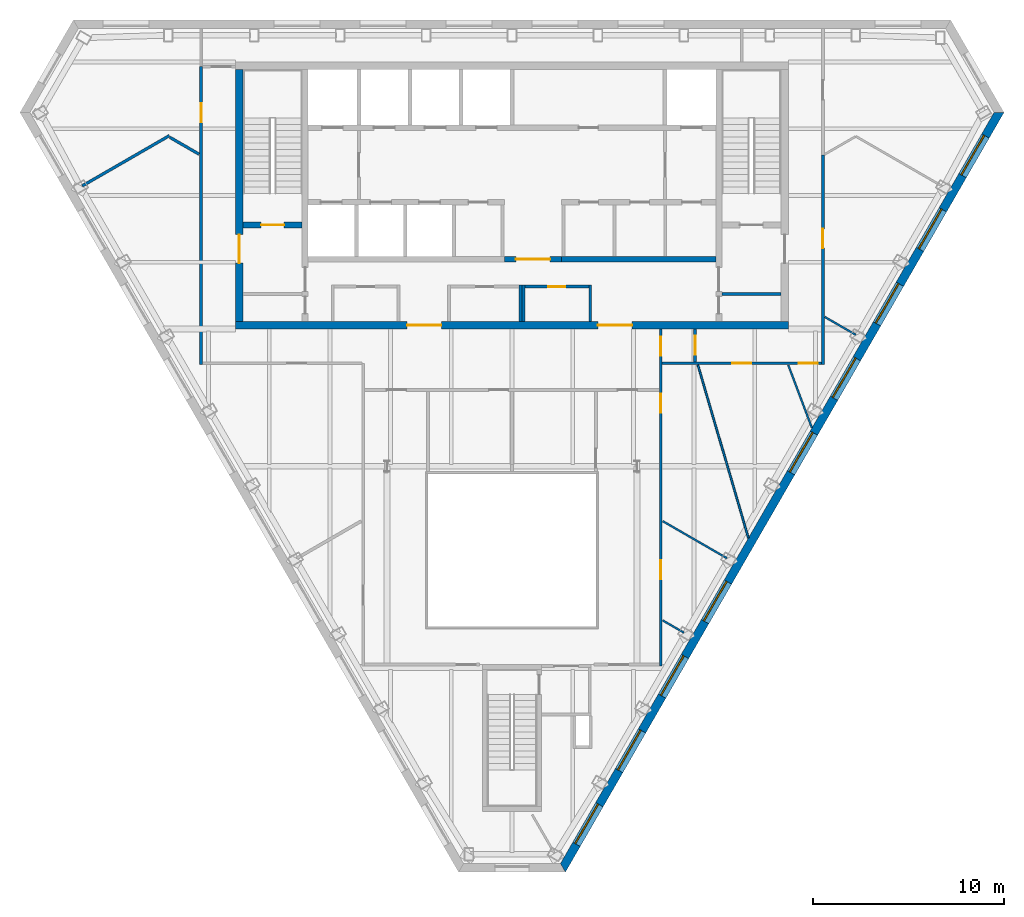
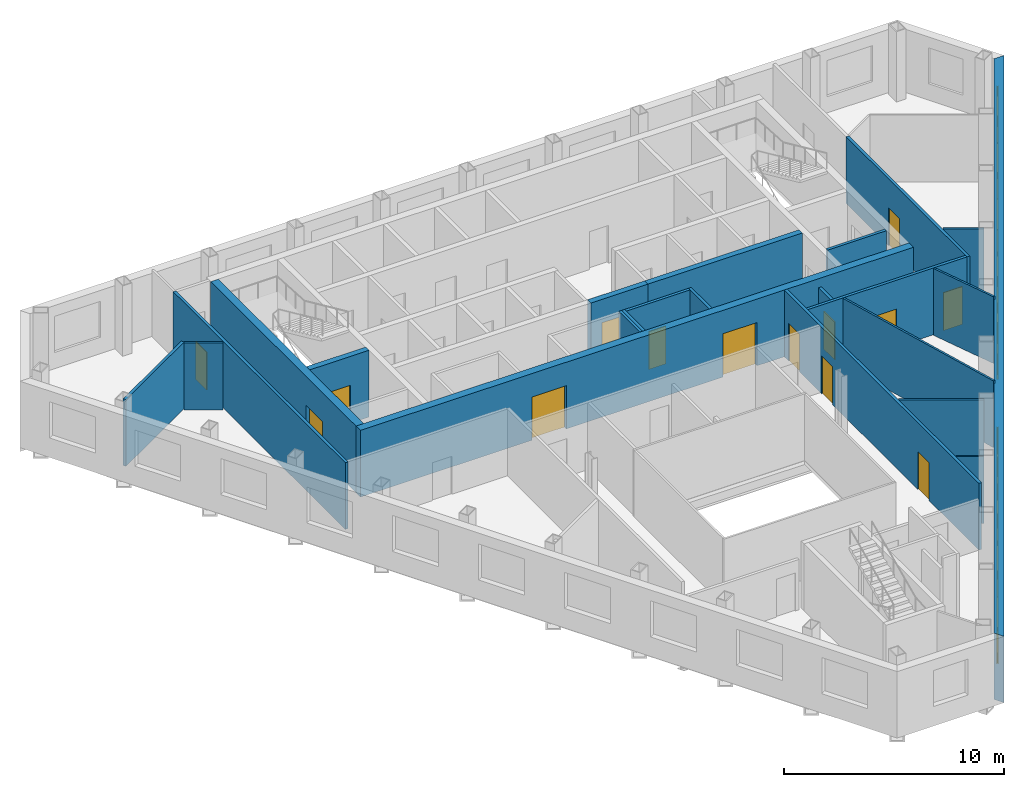
# One storey, part 5 of 10: 23 walls, 14 doors, 9 windows, 23 openings.
"""IFC4 building model written with IfcOpenShell, lengths in metres."""

from ifc_helpers import new_model, si_unit, direction, frame, frame_2d, origin, place, context, subcontext, project, spatial, polyline, rectangle, outline, extrude, material, layer, layer_set, type_object, element, fill, save


model = new_model("IFC4")

# Units and contexts
model_context = context("Model", 3, precision=1e-05, world=origin(), true_north=direction((0.0, 1.0)))
body_context = subcontext(model_context, "Body", "Model", "MODEL_VIEW")
ifc_project = project(units=[si_unit("LENGTHUNIT", "METRE"), si_unit("AREAUNIT", "SQUARE_METRE"), si_unit("VOLUMEUNIT", "CUBIC_METRE"), si_unit("PLANEANGLEUNIT", "RADIAN"), si_unit("MASSUNIT", "GRAM", prefix="KILO")], contexts=[model_context])

# Site, building, storey
site_placement = place(None, origin())
site = spatial("IfcSite", under=ifc_project, at=site_placement, CompositionType="ELEMENT")
building_placement = place(site_placement, origin())
building = spatial("IfcBuilding", under=site, at=building_placement, Name="Njiva Tower", CompositionType="ELEMENT")
storey_placement = place(building_placement, frame((0.0, 0.0, 268.8)))
storey = spatial("IfcBuildingStorey", under=building, at=storey_placement, Name="L61", CompositionType="ELEMENT", Elevation=268.8)

# Walls
ifc_material_1 = material(Name="Blockwork", Category="masonry")
ifc_layer_1 = layer(ifc_material_1, 0.15)
ifc_layer_set_1 = layer_set([ifc_layer_1], Name="Blockwork")
wall_type_1 = type_object("IfcWallType", Name="WT1 Compartment partition 150", PredefinedType="PARTITIONING", material=ifc_layer_set_1)
wall_1_placement = place(storey_placement, frame((11.0, 5.825, 0.0), z_axis=(0.0, 0.0, 1.0), x_axis=(1.0, 0.0, 0.0)))
element("IfcWall", 1, at=wall_1_placement, inside=storey, type_object=wall_type_1, Name="Room wall B", PredefinedType="PARTITIONING", context=body_context, shape_type="SweptSolid", body=[
    extrude(rectangle(XDim=3.1, YDim=0.15, at=frame_2d((1.55, 0.0))), origin(), (0.0, 0.0, 1.0), 3.7),
])
for number, where, z_axis, x_axis, name in (
    (2, (0.45, 4.4, 0.0), (0.0, 0.0, 1.0), (0.0, 1.0, 0.0), "Waiting room wall east"),
    (3, (0.6, 4.4, 0.0), (0.0, 0.0, 1.0), (0.0, 1.0, 0.0), "First aid room wall west"),
    (4, (4.1, 4.4, 0.0), (0.0, 0.0, 1.0), (0.0, 1.0, 0.0), "First aid room wall east"),
):
    element("IfcWall", number, at=place(storey_placement, frame(where, z_axis=z_axis, x_axis=x_axis)), inside=storey, type_object=wall_type_1, Name=name, PredefinedType="PARTITIONING", context=body_context, shape_type="SweptSolid", body=[
        extrude(rectangle(XDim=1.895, YDim=0.15, at=frame_2d((0.9475, 0.0))), origin(), (0.0, 0.0, 1.0), 3.7),
    ])

# Wall, opening, door
wall_2_placement = place(storey_placement, frame((0.675, 6.22, 0.0), z_axis=(0.0, 0.0, 1.0), x_axis=(1.0, 0.0, 0.0)))
wall_2 = element("IfcWall", 5, at=wall_2_placement, inside=storey, type_object=wall_type_1, Name="First aid room wall north", PredefinedType="PARTITIONING", context=body_context, shape_type="SweptSolid", body=[
    extrude(rectangle(XDim=3.35, YDim=0.15, at=frame_2d((1.675, 0.0))), origin(), (0.0, 0.0, 1.0), 3.7),
])
opening_1_placement = place(wall_2_placement, frame((1.225, 0.0, 0.0)))
opening_1 = element("IfcOpeningElement", 6, at=opening_1_placement, cuts=wall_2, Name="Opening S20-D926", PredefinedType="OPENING", context=body_context, shape_type="SweptSolid", body=[
    extrude(rectangle(XDim=0.9, YDim=2.1, at=frame_2d((0.45, 1.05))), frame((0.0, 0.085, 0.0), z_axis=(0.0, -1.0, 0.0), x_axis=(1.0, 0.0, 0.0)), (0.0, 0.0, 1.0), 0.17),
])
ifc_material_2 = material(Name="Steel fire door, painted", Category="steel")
door_type_1 = type_object("IfcDoorType", Name="D6 Fire-rated door 900x2100", OperationType="SINGLE_SWING_LEFT", PredefinedType="DOOR", material=ifc_material_2)
door_1_placement = place(opening_1_placement, origin())
door_1 = element("IfcDoor", 7, at=door_1_placement, inside=storey, type_object=door_type_1, Name="First aid room door", OperationType="SINGLE_SWING_LEFT", OverallHeight=2.1, OverallWidth=0.9, PredefinedType="DOOR", context=body_context, shape_type="SweptSolid", body=[
    extrude(rectangle(XDim=0.9, YDim=2.1, at=frame_2d((0.45, 1.05))), frame((0.0, 0.025, 0.0), z_axis=(0.0, -1.0, 0.0), x_axis=(1.0, 0.0, 0.0)), (0.0, 0.0, 1.0), 0.05),
])
fill(opening_1, door_1)

ifc_material_3 = material(Name="Concrete C40/50", Category="concrete")
ifc_layer_2 = layer(ifc_material_3, 0.3)
ifc_layer_set_2 = layer_set([ifc_layer_2], Name="Concrete C40/50")
wall_type_2 = type_object("IfcWallType", Name="WT10 Stair enclosure wall 300", PredefinedType="SHEAR", material=ifc_layer_set_2)
wall_3_placement = place(storey_placement, frame((-14.1, 9.45, 0.0), z_axis=(0.0, 0.0, 1.0), x_axis=(1.0, 0.0, 0.0)))
wall_3 = element("IfcWall", 8, at=wall_3_placement, inside=storey, type_object=wall_type_2, Name="Stair A south wall", PredefinedType="SHEAR", context=body_context, shape_type="SweptSolid", body=[
    extrude(rectangle(XDim=3.1, YDim=0.3, at=frame_2d((1.55, 0.0))), origin(), (0.0, 0.0, 1.0), 3.7),
])
opening_2_placement = place(wall_3_placement, frame((0.95, 0.0, 0.0)))
opening_2 = element("IfcOpeningElement", 9, at=opening_2_placement, cuts=wall_3, Name="Opening S20-D915", PredefinedType="OPENING", context=body_context, shape_type="SweptSolid", body=[
    extrude(rectangle(XDim=1.2, YDim=2.1, at=frame_2d((0.6, 1.05))), frame((0.0, 0.16, 0.0), z_axis=(0.0, -1.0, 0.0), x_axis=(1.0, 0.0, 0.0)), (0.0, 0.0, 1.0), 0.32),
])
ifc_material_4 = material(Name="Glazed steel fire door", Category="steel")
door_type_2 = type_object("IfcDoorType", Name="D7 Stair vestibule door 1200x2100 glazed", OperationType="SINGLE_SWING_LEFT", PredefinedType="DOOR", material=ifc_material_4)
door_2_placement = place(opening_2_placement, origin())
door_2 = element("IfcDoor", 10, at=door_2_placement, inside=storey, type_object=door_type_2, Name="Stair A door", OperationType="SINGLE_SWING_LEFT", OverallHeight=2.1, OverallWidth=1.2, PredefinedType="DOOR", context=body_context, shape_type="SweptSolid", body=[
    extrude(rectangle(XDim=1.2, YDim=2.1, at=frame_2d((0.6, 1.05))), frame((0.0, 0.025, 0.0), z_axis=(0.0, -1.0, 0.0), x_axis=(1.0, 0.0, 0.0)), (0.0, 0.0, 1.0), 0.05),
])
fill(opening_2, door_2)

# Wall, openings, doors
ifc_material_5 = material(Name="Concrete C60/75", Category="concrete")
ifc_layer_3 = layer(ifc_material_5, 0.4)
ifc_layer_set_3 = layer_set([ifc_layer_3], Name="Concrete C60/75")
wall_type_3 = type_object("IfcWallType", Name="WT11 Core wall 400", PredefinedType="SHEAR", material=ifc_layer_set_3)
wall_4_placement = place(storey_placement, frame((-14.5, 4.2, 0.0), z_axis=(0.0, 0.0, 1.0), x_axis=(1.0, 0.0, 0.0)))
wall_4 = element("IfcWall", 11, at=wall_4_placement, inside=storey, type_object=wall_type_3, Name="Core wall south", PredefinedType="SHEAR", context=body_context, shape_type="SweptSolid", body=[
    extrude(rectangle(XDim=29.0, YDim=0.4, at=frame_2d((14.5, 0.0))), origin(), (0.0, 0.0, 1.0), 3.7),
])
opening_3_placement = place(wall_4_placement, frame((9.0, 0.0, 0.0)))
opening_3 = element("IfcOpeningElement", 12, at=opening_3_placement, cuts=wall_4, Name="Opening S20-D928", PredefinedType="OPENING", context=body_context, shape_type="SweptSolid", body=[
    extrude(rectangle(XDim=1.8, YDim=2.4, at=frame_2d((0.9, 1.2))), frame((0.0, 0.21, 0.0), z_axis=(0.0, -1.0, 0.0), x_axis=(1.0, 0.0, 0.0)), (0.0, 0.0, 1.0), 0.42),
])
opening_4_placement = place(wall_4_placement, frame((19.0, 0.0, 0.0)))
opening_4 = element("IfcOpeningElement", 13, at=opening_4_placement, cuts=wall_4, Name="Opening S20-D929", PredefinedType="OPENING", context=body_context, shape_type="SweptSolid", body=[
    extrude(rectangle(XDim=1.8, YDim=2.4, at=frame_2d((0.9, 1.2))), frame((0.0, 0.21, 0.0), z_axis=(0.0, -1.0, 0.0), x_axis=(1.0, 0.0, 0.0)), (0.0, 0.0, 1.0), 0.42),
])
ifc_material_6 = material(Name="Steel and glass door", Category="steel")
door_type_3 = type_object("IfcDoorType", Name="D3 Core entrance door 1800x2400", OperationType="DOUBLE_DOOR_SINGLE_SWING", PredefinedType="DOOR", material=ifc_material_6)
door_3_placement = place(opening_3_placement, origin())
door_3 = element("IfcDoor", 14, at=door_3_placement, inside=storey, type_object=door_type_3, Name="Core entrance door", OperationType="DOUBLE_DOOR_SINGLE_SWING", OverallHeight=2.4, OverallWidth=1.8, PredefinedType="DOOR", context=body_context, shape_type="SweptSolid", body=[
    extrude(rectangle(XDim=1.8, YDim=2.4, at=frame_2d((0.9, 1.2))), frame((0.0, 0.025, 0.0), z_axis=(0.0, -1.0, 0.0), x_axis=(1.0, 0.0, 0.0)), (0.0, 0.0, 1.0), 0.05),
])
fill(opening_3, door_3)
door_4_placement = place(opening_4_placement, origin())
door_4 = element("IfcDoor", 15, at=door_4_placement, inside=storey, type_object=door_type_3, Name="Core entrance door", OperationType="DOUBLE_DOOR_SINGLE_SWING", OverallHeight=2.4, OverallWidth=1.8, PredefinedType="DOOR", context=body_context, shape_type="SweptSolid", body=[
    extrude(rectangle(XDim=1.8, YDim=2.4, at=frame_2d((0.9, 1.2))), frame((0.0, 0.025, 0.0), z_axis=(0.0, -1.0, 0.0), x_axis=(1.0, 0.0, 0.0)), (0.0, 0.0, 1.0), 0.05),
])
fill(opening_4, door_4)

# Wall, opening, door
wall_5_placement = place(storey_placement, frame((-14.3, 4.4, 0.0), z_axis=(0.0, 0.0, 1.0), x_axis=(0.0, 1.0, 0.0)))
wall_5 = element("IfcWall", 16, at=wall_5_placement, inside=storey, type_object=wall_type_3, Name="Core wall west", PredefinedType="SHEAR", context=body_context, shape_type="SweptSolid", body=[
    extrude(rectangle(XDim=13.2, YDim=0.4, at=frame_2d((6.6, 0.0))), origin(), (0.0, 0.0, 1.0), 3.7),
])
opening_5_placement = place(wall_5_placement, frame((3.05, 0.0, 0.0)))
opening_5 = element("IfcOpeningElement", 17, at=opening_5_placement, cuts=wall_5, Name="Opening S20-D917", PredefinedType="OPENING", context=body_context, shape_type="SweptSolid", body=[
    extrude(rectangle(XDim=1.5, YDim=2.1, at=frame_2d((0.75, 1.05))), frame((0.0, 0.21, 0.0), z_axis=(0.0, -1.0, 0.0), x_axis=(1.0, 0.0, 0.0)), (0.0, 0.0, 1.0), 0.42),
])
door_type_4 = type_object("IfcDoorType", Name="D10 Exit door double 1500x2100 glazed", OperationType="DOUBLE_DOOR_SINGLE_SWING", PredefinedType="DOOR", material=ifc_material_4)
door_5_placement = place(opening_5_placement, origin())
door_5 = element("IfcDoor", 18, at=door_5_placement, inside=storey, type_object=door_type_4, Name="Stair A corridor door", OperationType="DOUBLE_DOOR_SINGLE_SWING", OverallHeight=2.1, OverallWidth=1.5, PredefinedType="DOOR", context=body_context, shape_type="SweptSolid", body=[
    extrude(rectangle(XDim=1.5, YDim=2.1, at=frame_2d((0.75, 1.05))), frame((0.0, 0.025, 0.0), z_axis=(0.0, -1.0, 0.0), x_axis=(1.0, 0.0, 0.0)), (0.0, 0.0, 1.0), 0.05),
])
fill(opening_5, door_5)

# Walls
ifc_material_7 = material(Name="Gypsum board on steel studs", Category="gypsum")
ifc_layer_4 = layer(ifc_material_7, 0.1)
ifc_layer_set_4 = layer_set([ifc_layer_4], Name="Gypsum board on steel studs")
wall_type_4 = type_object("IfcWallType", Name="WT20 Gypsum partition 100", PredefinedType="PARTITIONING", material=ifc_layer_set_4)
wall_6_placement = place(storey_placement, frame((7.9, -6.077, 0.0), z_axis=(0.0, 0.0, 1.0), x_axis=(0.86601853819, -0.50001189137, 0.0)))
element("IfcWall", 19, at=wall_6_placement, inside=storey, type_object=wall_type_4, Name="Partition S20-P018", PredefinedType="PARTITIONING", context=body_context, shape_type="SweptSolid", body=[
    extrude(rectangle(XDim=3.8879, YDim=0.1, at=frame_2d((1.944, 0.0))), origin(), (0.0, 0.0, 1.0), 3.7),
])
wall_7_placement = place(storey_placement, frame((7.9, -11.283, 0.0), z_axis=(0.0, 0.0, 1.0), x_axis=(0.865887538919, -0.500238712961, 0.0)))
element("IfcWall", 20, at=wall_7_placement, inside=storey, type_object=wall_type_4, Name="Partition S20-P019", PredefinedType="PARTITIONING", context=body_context, shape_type="SweptSolid", body=[
    extrude(rectangle(XDim=1.2854, YDim=0.1, at=frame_2d((0.6427, 0.0))), origin(), (0.0, 0.0, 1.0), 3.7),
])
wall_8_placement = place(storey_placement, frame((9.749, 2.111, 0.0), z_axis=(0.0, 0.0, 1.0), x_axis=(0.280109672534, -0.95996800538, 0.0)))
element("IfcWall", 21, at=wall_8_placement, inside=storey, type_object=wall_type_4, Name="Partition S20-P021", PredefinedType="PARTITIONING", context=body_context, shape_type="SweptSolid", body=[
    extrude(rectangle(XDim=9.4534, YDim=0.1, at=frame_2d((4.7267, 0.0))), origin(), (0.0, 0.0, 1.0), 3.7),
])
wall_9_placement = place(storey_placement, frame((14.487, 2.107, 0.0), z_axis=(0.0, 0.0, 1.0), x_axis=(0.352242085743, -0.935908923471, 0.0)))
element("IfcWall", 22, at=wall_9_placement, inside=storey, type_object=wall_type_4, Name="Partition S20-P023", PredefinedType="PARTITIONING", context=body_context, shape_type="SweptSolid", body=[
    extrude(rectangle(XDim=3.526, YDim=0.1, at=frame_2d((1.763, 0.0))), origin(), (0.0, 0.0, 1.0), 3.7),
])
wall_10_placement = place(storey_placement, frame((16.4, 4.63, 0.0), z_axis=(0.0, 0.0, 1.0), x_axis=(0.866141323391, -0.49979916758, 0.0)))
element("IfcWall", 23, at=wall_10_placement, inside=storey, type_object=wall_type_4, Name="Partition S20-P026", PredefinedType="PARTITIONING", context=body_context, shape_type="SweptSolid", body=[
    extrude(rectangle(XDim=1.8808, YDim=0.1, at=frame_2d((0.9404, 0.0))), origin(), (0.0, 0.0, 1.0), 3.7),
])
ifc_layer_5 = layer(ifc_material_7, 0.15)
ifc_layer_set_5 = layer_set([ifc_layer_5], Name="Gypsum board on steel studs")
wall_type_5 = type_object("IfcWallType", Name="WT21 Compartment wall 150", PredefinedType="PARTITIONING", material=ifc_layer_set_5)
wall_11_placement = place(storey_placement, frame((-22.537, 11.498, 0.0), z_axis=(0.0, 0.0, 1.0), x_axis=(0.866147719825, 0.499788082533, 0.0)))
element("IfcWall", 24, at=wall_11_placement, inside=storey, type_object=wall_type_5, Name="Partition S20-P001", PredefinedType="PARTITIONING", context=body_context, shape_type="SweptSolid", body=[
    extrude(rectangle(XDim=5.2762, YDim=0.15, at=frame_2d((2.6381, 0.0))), origin(), (0.0, 0.0, 1.0), 3.7),
])
wall_12_placement = place(storey_placement, frame((-17.943, 14.047, 0.0), z_axis=(0.0, 0.0, 1.0), x_axis=(0.866251516137, -0.49960815725, 0.0)))
element("IfcWall", 25, at=wall_12_placement, inside=storey, type_object=wall_type_5, Name="Partition S20-P002", PredefinedType="PARTITIONING", context=body_context, shape_type="SweptSolid", body=[
    extrude(rectangle(XDim=1.7674, YDim=0.15, at=frame_2d((0.8837, 0.0))), origin(), (0.0, 0.0, 1.0), 3.7),
])

# Wall, opening, door
wall_13_placement = place(storey_placement, frame((-16.3, 2.125, 0.0), z_axis=(0.0, 0.0, 1.0), x_axis=(0.0, 1.0, 0.0)))
wall_13 = element("IfcWall", 26, at=wall_13_placement, inside=storey, type_object=wall_type_5, Name="Partition S20-P003", PredefinedType="PARTITIONING", context=body_context, shape_type="SweptSolid", body=[
    extrude(rectangle(XDim=15.637, YDim=0.15, at=frame_2d((7.8185, 0.0))), origin(), (0.0, 0.0, 1.0), 3.7),
])
opening_6_placement = place(wall_13_placement, frame((12.705, 0.0, 0.0)))
opening_6 = element("IfcOpeningElement", 27, at=opening_6_placement, cuts=wall_13, Name="Opening S20-D001", PredefinedType="OPENING", context=body_context, shape_type="SweptSolid", body=[
    extrude(rectangle(XDim=1.0, YDim=2.1, at=frame_2d((0.5, 1.05))), frame((0.0, 0.085, 0.0), z_axis=(0.0, -1.0, 0.0), x_axis=(1.0, 0.0, 0.0)), (0.0, 0.0, 1.0), 0.17),
])
ifc_material_8 = material(Name="Steel fire door set", Category="steel")
door_type_5 = type_object("IfcDoorType", Name="D37 Fire door 1000x2100", OperationType="SINGLE_SWING_LEFT", PredefinedType="DOOR", material=ifc_material_8)
door_6_placement = place(opening_6_placement, origin())
door_6 = element("IfcDoor", 28, at=door_6_placement, inside=storey, type_object=door_type_5, Name="Door S20-D001", OperationType="SINGLE_SWING_LEFT", OverallHeight=2.1, OverallWidth=1.0, PredefinedType="DOOR", context=body_context, shape_type="SweptSolid", body=[
    extrude(rectangle(XDim=1.0, YDim=2.1, at=frame_2d((0.5, 1.05))), frame((0.0, 0.025, 0.0), z_axis=(0.0, -1.0, 0.0), x_axis=(1.0, 0.0, 0.0)), (0.0, 0.0, 1.0), 0.05),
])
fill(opening_6, door_6)

# Wall, openings, doors
wall_14_placement = place(storey_placement, frame((7.8, -13.675, 0.0), z_axis=(0.0, 0.0, 1.0), x_axis=(0.0, 1.0, 0.0)))
wall_14 = element("IfcWall", 29, at=wall_14_placement, inside=storey, type_object=wall_type_5, Name="Partition S20-P016", PredefinedType="PARTITIONING", context=body_context, shape_type="SweptSolid", body=[
    extrude(rectangle(XDim=17.675, YDim=0.15, at=frame_2d((8.8375, 0.0))), origin(), (0.0, 0.0, 1.0), 3.7),
])
opening_7_placement = place(wall_14_placement, frame((4.552, 0.0, 0.0)))
opening_7 = element("IfcOpeningElement", 30, at=opening_7_placement, cuts=wall_14, Name="Opening S20-D011", PredefinedType="OPENING", context=body_context, shape_type="SweptSolid", body=[
    extrude(rectangle(XDim=1.0, YDim=2.1, at=frame_2d((0.5, 1.05))), frame((0.0, 0.085, 0.0), z_axis=(0.0, -1.0, 0.0), x_axis=(1.0, 0.0, 0.0)), (0.0, 0.0, 1.0), 0.17),
])
opening_8_placement = place(wall_14_placement, frame((13.287, 0.0, 0.0)))
opening_8 = element("IfcOpeningElement", 31, at=opening_8_placement, cuts=wall_14, Name="Opening S20-D012", PredefinedType="OPENING", context=body_context, shape_type="SweptSolid", body=[
    extrude(rectangle(XDim=1.0, YDim=2.1, at=frame_2d((0.5, 1.05))), frame((0.0, 0.085, 0.0), z_axis=(0.0, -1.0, 0.0), x_axis=(1.0, 0.0, 0.0)), (0.0, 0.0, 1.0), 0.17),
])
opening_9_placement = place(wall_14_placement, frame((16.275, 0.0, 0.0)))
opening_9 = element("IfcOpeningElement", 32, at=opening_9_placement, cuts=wall_14, Name="Opening S20-D013", PredefinedType="OPENING", context=body_context, shape_type="SweptSolid", body=[
    extrude(rectangle(XDim=1.0, YDim=2.1, at=frame_2d((0.5, 1.05))), frame((0.0, 0.085, 0.0), z_axis=(0.0, -1.0, 0.0), x_axis=(1.0, 0.0, 0.0)), (0.0, 0.0, 1.0), 0.17),
])
door_7_placement = place(opening_7_placement, origin())
door_7 = element("IfcDoor", 33, at=door_7_placement, inside=storey, type_object=door_type_5, Name="Door S20-D011", OperationType="SINGLE_SWING_LEFT", OverallHeight=2.1, OverallWidth=1.0, PredefinedType="DOOR", context=body_context, shape_type="SweptSolid", body=[
    extrude(rectangle(XDim=1.0, YDim=2.1, at=frame_2d((0.5, 1.05))), frame((0.0, 0.025, 0.0), z_axis=(0.0, -1.0, 0.0), x_axis=(1.0, 0.0, 0.0)), (0.0, 0.0, 1.0), 0.05),
])
fill(opening_7, door_7)
door_8_placement = place(opening_8_placement, origin())
door_8 = element("IfcDoor", 34, at=door_8_placement, inside=storey, type_object=door_type_5, Name="Door S20-D012", OperationType="SINGLE_SWING_RIGHT", OverallHeight=2.1, OverallWidth=1.0, PredefinedType="DOOR", context=body_context, shape_type="SweptSolid", body=[
    extrude(rectangle(XDim=1.0, YDim=2.1, at=frame_2d((0.5, 1.05))), frame((0.0, 0.025, 0.0), z_axis=(0.0, -1.0, 0.0), x_axis=(1.0, 0.0, 0.0)), (0.0, 0.0, 1.0), 0.05),
])
fill(opening_8, door_8)
door_9_placement = place(opening_9_placement, origin())
door_9 = element("IfcDoor", 35, at=door_9_placement, inside=storey, type_object=door_type_5, Name="Door S20-D013", OperationType="SINGLE_SWING_RIGHT", OverallHeight=2.1, OverallWidth=1.0, PredefinedType="DOOR", context=body_context, shape_type="SweptSolid", body=[
    extrude(rectangle(XDim=1.0, YDim=2.1, at=frame_2d((0.5, 1.05))), frame((0.0, 0.025, 0.0), z_axis=(0.0, -1.0, 0.0), x_axis=(1.0, 0.0, 0.0)), (0.0, 0.0, 1.0), 0.05),
])
fill(opening_9, door_9)

wall_15_placement = place(storey_placement, frame((7.875, 2.2, 0.0), z_axis=(0.0, 0.0, 1.0), x_axis=(1.0, 0.0, 0.0)))
wall_15 = element("IfcWall", 36, at=wall_15_placement, inside=storey, type_object=wall_type_5, Name="Partition S20-P017", PredefinedType="PARTITIONING", context=body_context, shape_type="SweptSolid", body=[
    extrude(rectangle(XDim=8.35, YDim=0.15, at=frame_2d((4.175, 0.0))), origin(), (0.0, 0.0, 1.0), 3.7),
])
opening_10_placement = place(wall_15_placement, frame((3.662, 0.0, 0.0)))
opening_10 = element("IfcOpeningElement", 37, at=opening_10_placement, cuts=wall_15, Name="Opening S20-D014", PredefinedType="OPENING", context=body_context, shape_type="SweptSolid", body=[
    extrude(rectangle(XDim=1.0, YDim=2.1, at=frame_2d((0.5, 1.05))), frame((0.0, 0.085, 0.0), z_axis=(0.0, -1.0, 0.0), x_axis=(1.0, 0.0, 0.0)), (0.0, 0.0, 1.0), 0.17),
])
opening_11_placement = place(wall_15_placement, frame((7.15, 0.0, 0.0)))
opening_11 = element("IfcOpeningElement", 38, at=opening_11_placement, cuts=wall_15, Name="Opening S20-D015", PredefinedType="OPENING", context=body_context, shape_type="SweptSolid", body=[
    extrude(rectangle(XDim=1.0, YDim=2.1, at=frame_2d((0.5, 1.05))), frame((0.0, 0.085, 0.0), z_axis=(0.0, -1.0, 0.0), x_axis=(1.0, 0.0, 0.0)), (0.0, 0.0, 1.0), 0.17),
])
door_10_placement = place(opening_10_placement, origin())
door_10 = element("IfcDoor", 39, at=door_10_placement, inside=storey, type_object=door_type_5, Name="Door S20-D014", OperationType="SINGLE_SWING_LEFT", OverallHeight=2.1, OverallWidth=1.0, PredefinedType="DOOR", context=body_context, shape_type="SweptSolid", body=[
    extrude(rectangle(XDim=1.0, YDim=2.1, at=frame_2d((0.5, 1.05))), frame((0.0, 0.025, 0.0), z_axis=(0.0, -1.0, 0.0), x_axis=(1.0, 0.0, 0.0)), (0.0, 0.0, 1.0), 0.05),
])
fill(opening_10, door_10)
door_11_placement = place(opening_11_placement, origin())
door_11 = element("IfcDoor", 40, at=door_11_placement, inside=storey, type_object=door_type_5, Name="Door S20-D015", OperationType="SINGLE_SWING_RIGHT", OverallHeight=2.1, OverallWidth=1.0, PredefinedType="DOOR", context=body_context, shape_type="SweptSolid", body=[
    extrude(rectangle(XDim=1.0, YDim=2.1, at=frame_2d((0.5, 1.05))), frame((0.0, 0.025, 0.0), z_axis=(0.0, -1.0, 0.0), x_axis=(1.0, 0.0, 0.0)), (0.0, 0.0, 1.0), 0.05),
])
fill(opening_11, door_11)

# Wall, opening, door
wall_16_placement = place(storey_placement, frame((9.6, 2.275, 0.0), z_axis=(0.0, 0.0, 1.0), x_axis=(0.0, 1.0, 0.0)))
wall_16 = element("IfcWall", 41, at=wall_16_placement, inside=storey, type_object=wall_type_5, Name="Partition S20-P020", PredefinedType="PARTITIONING", context=body_context, shape_type="SweptSolid", body=[
    extrude(rectangle(XDim=1.725, YDim=0.15, at=frame_2d((0.8625, 0.0))), origin(), (0.0, 0.0, 1.0), 3.2),
])
opening_12_placement = place(wall_16_placement, frame((0.362, 0.0, 0.0)))
opening_12 = element("IfcOpeningElement", 42, at=opening_12_placement, cuts=wall_16, Name="Opening S20-D016", PredefinedType="OPENING", context=body_context, shape_type="SweptSolid", body=[
    extrude(rectangle(XDim=1.0, YDim=2.1, at=frame_2d((0.5, 1.05))), frame((0.0, 0.085, 0.0), z_axis=(0.0, -1.0, 0.0), x_axis=(1.0, 0.0, 0.0)), (0.0, 0.0, 1.0), 0.17),
])
door_12_placement = place(opening_12_placement, origin())
door_12 = element("IfcDoor", 43, at=door_12_placement, inside=storey, type_object=door_type_5, Name="Door S20-D016", OperationType="SINGLE_SWING_LEFT", OverallHeight=2.1, OverallWidth=1.0, PredefinedType="DOOR", context=body_context, shape_type="SweptSolid", body=[
    extrude(rectangle(XDim=1.0, YDim=2.1, at=frame_2d((0.5, 1.05))), frame((0.0, 0.025, 0.0), z_axis=(0.0, -1.0, 0.0), x_axis=(1.0, 0.0, 0.0)), (0.0, 0.0, 1.0), 0.05),
])
fill(opening_12, door_12)

wall_17_placement = place(storey_placement, frame((16.3, 2.125, 0.0), z_axis=(0.0, 0.0, 1.0), x_axis=(0.0, 1.0, 0.0)))
wall_17 = element("IfcWall", 44, at=wall_17_placement, inside=storey, type_object=wall_type_5, Name="Partition S20-P024", PredefinedType="PARTITIONING", context=body_context, shape_type="SweptSolid", body=[
    extrude(rectangle(XDim=10.985, YDim=0.15, at=frame_2d((5.4925, 0.0))), origin(), (0.0, 0.0, 1.0), 3.7),
])
opening_13_placement = place(wall_17_placement, frame((6.117, 0.0, 0.0)))
opening_13 = element("IfcOpeningElement", 45, at=opening_13_placement, cuts=wall_17, Name="Opening S20-D017", PredefinedType="OPENING", context=body_context, shape_type="SweptSolid", body=[
    extrude(rectangle(XDim=1.0, YDim=2.1, at=frame_2d((0.5, 1.05))), frame((0.0, 0.085, 0.0), z_axis=(0.0, -1.0, 0.0), x_axis=(1.0, 0.0, 0.0)), (0.0, 0.0, 1.0), 0.17),
])
door_13_placement = place(opening_13_placement, origin())
door_13 = element("IfcDoor", 46, at=door_13_placement, inside=storey, type_object=door_type_5, Name="Door S20-D017", OperationType="SINGLE_SWING_RIGHT", OverallHeight=2.1, OverallWidth=1.0, PredefinedType="DOOR", context=body_context, shape_type="SweptSolid", body=[
    extrude(rectangle(XDim=1.0, YDim=2.1, at=frame_2d((0.5, 1.05))), frame((0.0, 0.025, 0.0), z_axis=(0.0, -1.0, 0.0), x_axis=(1.0, 0.0, 0.0)), (0.0, 0.0, 1.0), 0.05),
])
fill(opening_13, door_13)

ifc_layer_6 = layer(ifc_material_1, 0.3)
ifc_layer_set_6 = layer_set([ifc_layer_6], Name="Blockwork")
wall_type_6 = type_object("IfcWallType", Name="WT5 Lobby partition 300", PredefinedType="PARTITIONING", material=ifc_layer_set_6)
wall_18_placement = place(storey_placement, frame((-0.4, 7.65, 0.0), z_axis=(0.0, 0.0, 1.0), x_axis=(1.0, 0.0, 0.0)))
wall_18 = element("IfcWall", 47, at=wall_18_placement, inside=storey, type_object=wall_type_6, Name="Lift lobby screen wall", PredefinedType="PARTITIONING", context=body_context, shape_type="SweptSolid", body=[
    extrude(rectangle(XDim=3.0, YDim=0.3, at=frame_2d((1.5, 0.0))), origin(), (0.0, 0.0, 1.0), 3.7),
])
opening_14_placement = place(wall_18_placement, frame((0.6, 0.0, 0.0)))
opening_14 = element("IfcOpeningElement", 48, at=opening_14_placement, cuts=wall_18, Name="Opening S20-D927", PredefinedType="OPENING", context=body_context, shape_type="SweptSolid", body=[
    extrude(rectangle(XDim=1.8, YDim=2.4, at=frame_2d((0.9, 1.2))), frame((0.0, 0.16, 0.0), z_axis=(0.0, -1.0, 0.0), x_axis=(1.0, 0.0, 0.0)), (0.0, 0.0, 1.0), 0.32),
])
door_14_placement = place(opening_14_placement, origin())
door_14 = element("IfcDoor", 49, at=door_14_placement, inside=storey, type_object=door_type_3, Name="Core entrance door", OperationType="DOUBLE_DOOR_SINGLE_SWING", OverallHeight=2.4, OverallWidth=1.8, PredefinedType="DOOR", context=body_context, shape_type="SweptSolid", body=[
    extrude(rectangle(XDim=1.8, YDim=2.4, at=frame_2d((0.9, 1.2))), frame((0.0, 0.025, 0.0), z_axis=(0.0, -1.0, 0.0), x_axis=(1.0, 0.0, 0.0)), (0.0, 0.0, 1.0), 0.05),
])
fill(opening_14, door_14)

# Wall
ifc_layer_7 = layer(ifc_material_3, 0.3)
ifc_layer_set_7 = layer_set([ifc_layer_7], Name="Concrete C40/50")
wall_type_7 = type_object("IfcWallType", Name="WT7 Lift shaft wall 300", PredefinedType="SHEAR", material=ifc_layer_set_7)
wall_19_placement = place(storey_placement, frame((2.6, 7.65, 0.0), z_axis=(0.0, 0.0, 1.0), x_axis=(1.0, 0.0, 0.0)))
element("IfcWall", 50, at=wall_19_placement, inside=storey, type_object=wall_type_7, Name="Shaft wall south row back E", PredefinedType="SHEAR", context=body_context, shape_type="SweptSolid", body=[
    extrude(rectangle(XDim=8.1, YDim=0.3, at=frame_2d((4.05, 0.0))), origin(), (0.0, 0.0, 1.0), 3.7),
])

# Wall, openings, windows
ifc_material_9 = material(Name="Brick masonry", Category="masonry")
ifc_layer_8 = layer(ifc_material_9, 0.45)
ifc_layer_set_8 = layer_set([ifc_layer_8], Name="Brick masonry")
wall_type_8 = type_object("IfcWallType", Name="WT90 Brick pier and spandrel wall 450", PredefinedType="SOLIDWALL", material=ifc_layer_set_8)
wall_20_placement = place(storey_placement, frame((2.6701, -24.2619, -0.18), z_axis=(0.0, 0.0, 1.0), x_axis=(0.499999764979, 0.866025539474, 0.0)))
wall_20 = element("IfcWall", 51, at=wall_20_placement, inside=storey, type_object=wall_type_8, Name="Facade wall SE", PredefinedType="SOLIDWALL", context=body_context, shape_type="SweptSolid", body=[
    extrude(outline(polyline([(-0.1299, -0.225), (45.8701, -0.225), (45.6103, 0.225), (0.1299, 0.225), (-0.1299, -0.225)])), origin(), (0.0, 0.0, 1.0), 3.68),
])
opening_15_placement = place(wall_20_placement, frame((1.4242, 0.0, 1.08)))
opening_15 = element("IfcOpeningElement", 52, at=opening_15_placement, cuts=wall_20, Name="Opening S20-W20", PredefinedType="OPENING", context=body_context, shape_type="SweptSolid", body=[
    extrude(rectangle(XDim=2.4, YDim=2.0, at=frame_2d((1.2, 1.0))), frame((0.0, 0.235, 0.0), z_axis=(0.0, -1.0, 0.0), x_axis=(1.0, 0.0, 0.0)), (0.0, 0.0, 1.0), 0.47),
])
opening_16_placement = place(wall_20_placement, frame((5.8934, 0.0, 1.08)))
opening_16 = element("IfcOpeningElement", 53, at=opening_16_placement, cuts=wall_20, Name="Opening S20-W21", PredefinedType="OPENING", context=body_context, shape_type="SweptSolid", body=[
    extrude(rectangle(XDim=2.4, YDim=2.0, at=frame_2d((1.2, 1.0))), frame((0.0, 0.235, 0.0), z_axis=(0.0, -1.0, 0.0), x_axis=(1.0, 0.0, 0.0)), (0.0, 0.0, 1.0), 0.47),
])
opening_17_placement = place(wall_20_placement, frame((10.401, 0.0, 1.08)))
opening_17 = element("IfcOpeningElement", 54, at=opening_17_placement, cuts=wall_20, Name="Opening S20-W22", PredefinedType="OPENING", context=body_context, shape_type="SweptSolid", body=[
    extrude(rectangle(XDim=2.4, YDim=2.0, at=frame_2d((1.2, 1.0))), frame((0.0, 0.235, 0.0), z_axis=(0.0, -1.0, 0.0), x_axis=(1.0, 0.0, 0.0)), (0.0, 0.0, 1.0), 0.47),
])
opening_18_placement = place(wall_20_placement, frame((14.9087, 0.0, 1.08)))
opening_18 = element("IfcOpeningElement", 55, at=opening_18_placement, cuts=wall_20, Name="Opening S20-W23", PredefinedType="OPENING", context=body_context, shape_type="SweptSolid", body=[
    extrude(rectangle(XDim=2.4, YDim=2.0, at=frame_2d((1.2, 1.0))), frame((0.0, 0.235, 0.0), z_axis=(0.0, -1.0, 0.0), x_axis=(1.0, 0.0, 0.0)), (0.0, 0.0, 1.0), 0.47),
])
opening_19_placement = place(wall_20_placement, frame((23.9239, 0.0, 1.08)))
opening_19 = element("IfcOpeningElement", 56, at=opening_19_placement, cuts=wall_20, Name="Opening S20-W24", PredefinedType="OPENING", context=body_context, shape_type="SweptSolid", body=[
    extrude(rectangle(XDim=2.4, YDim=2.0, at=frame_2d((1.2, 1.0))), frame((0.0, 0.235, 0.0), z_axis=(0.0, -1.0, 0.0), x_axis=(1.0, 0.0, 0.0)), (0.0, 0.0, 1.0), 0.47),
])
opening_20_placement = place(wall_20_placement, frame((28.4315, 0.0, 1.08)))
opening_20 = element("IfcOpeningElement", 57, at=opening_20_placement, cuts=wall_20, Name="Opening S20-W25", PredefinedType="OPENING", context=body_context, shape_type="SweptSolid", body=[
    extrude(rectangle(XDim=2.4, YDim=2.0, at=frame_2d((1.2, 1.0))), frame((0.0, 0.235, 0.0), z_axis=(0.0, -1.0, 0.0), x_axis=(1.0, 0.0, 0.0)), (0.0, 0.0, 1.0), 0.47),
])
opening_21_placement = place(wall_20_placement, frame((32.9391, 0.0, 1.08)))
opening_21 = element("IfcOpeningElement", 58, at=opening_21_placement, cuts=wall_20, Name="Opening S20-W26", PredefinedType="OPENING", context=body_context, shape_type="SweptSolid", body=[
    extrude(rectangle(XDim=2.4, YDim=2.0, at=frame_2d((1.2, 1.0))), frame((0.0, 0.235, 0.0), z_axis=(0.0, -1.0, 0.0), x_axis=(1.0, 0.0, 0.0)), (0.0, 0.0, 1.0), 0.47),
])
opening_22_placement = place(wall_20_placement, frame((37.4468, 0.0, 1.08)))
opening_22 = element("IfcOpeningElement", 59, at=opening_22_placement, cuts=wall_20, Name="Opening S20-W27", PredefinedType="OPENING", context=body_context, shape_type="SweptSolid", body=[
    extrude(rectangle(XDim=2.4, YDim=2.0, at=frame_2d((1.2, 1.0))), frame((0.0, 0.235, 0.0), z_axis=(0.0, -1.0, 0.0), x_axis=(1.0, 0.0, 0.0)), (0.0, 0.0, 1.0), 0.47),
])
opening_23_placement = place(wall_20_placement, frame((41.916, 0.0, 1.08)))
opening_23 = element("IfcOpeningElement", 60, at=opening_23_placement, cuts=wall_20, Name="Opening S20-W28", PredefinedType="OPENING", context=body_context, shape_type="SweptSolid", body=[
    extrude(rectangle(XDim=2.4, YDim=2.0, at=frame_2d((1.2, 1.0))), frame((0.0, 0.235, 0.0), z_axis=(0.0, -1.0, 0.0), x_axis=(1.0, 0.0, 0.0)), (0.0, 0.0, 1.0), 0.47),
])
ifc_material_10 = material(Name="Clear glazing in aluminium frame", Category="aluminium")
window_type = type_object("IfcWindowType", Name="W90 Deep-set window 2400x2000", PartitioningType="SINGLE_PANEL", PredefinedType="WINDOW", material=ifc_material_10)
window_1_placement = place(opening_15_placement, origin())
window_1 = element("IfcWindow", 61, at=window_1_placement, inside=storey, type_object=window_type, Name="Window", OverallHeight=2.0, OverallWidth=2.4, PartitioningType="SINGLE_PANEL", PredefinedType="WINDOW", context=body_context, shape_type="SweptSolid", body=[
    extrude(rectangle(XDim=2.4, YDim=2.0, at=frame_2d((1.2, 1.0))), frame((0.0, 0.105, 0.0), z_axis=(0.0, -1.0, 0.0), x_axis=(1.0, 0.0, 0.0)), (0.0, 0.0, 1.0), 0.06),
])
fill(opening_15, window_1)
window_2_placement = place(opening_16_placement, origin())
window_2 = element("IfcWindow", 62, at=window_2_placement, inside=storey, type_object=window_type, Name="Window", OverallHeight=2.0, OverallWidth=2.4, PartitioningType="SINGLE_PANEL", PredefinedType="WINDOW", context=body_context, shape_type="SweptSolid", body=[
    extrude(rectangle(XDim=2.4, YDim=2.0, at=frame_2d((1.2, 1.0))), frame((0.0, 0.105, 0.0), z_axis=(0.0, -1.0, 0.0), x_axis=(1.0, 0.0, 0.0)), (0.0, 0.0, 1.0), 0.06),
])
fill(opening_16, window_2)
window_3_placement = place(opening_17_placement, origin())
window_3 = element("IfcWindow", 63, at=window_3_placement, inside=storey, type_object=window_type, Name="Window", OverallHeight=2.0, OverallWidth=2.4, PartitioningType="SINGLE_PANEL", PredefinedType="WINDOW", context=body_context, shape_type="SweptSolid", body=[
    extrude(rectangle(XDim=2.4, YDim=2.0, at=frame_2d((1.2, 1.0))), frame((0.0, 0.105, 0.0), z_axis=(0.0, -1.0, 0.0), x_axis=(1.0, 0.0, 0.0)), (0.0, 0.0, 1.0), 0.06),
])
fill(opening_17, window_3)
window_4_placement = place(opening_18_placement, origin())
window_4 = element("IfcWindow", 64, at=window_4_placement, inside=storey, type_object=window_type, Name="Window", OverallHeight=2.0, OverallWidth=2.4, PartitioningType="SINGLE_PANEL", PredefinedType="WINDOW", context=body_context, shape_type="SweptSolid", body=[
    extrude(rectangle(XDim=2.4, YDim=2.0, at=frame_2d((1.2, 1.0))), frame((0.0, 0.105, 0.0), z_axis=(0.0, -1.0, 0.0), x_axis=(1.0, 0.0, 0.0)), (0.0, 0.0, 1.0), 0.06),
])
fill(opening_18, window_4)
window_5_placement = place(opening_19_placement, origin())
window_5 = element("IfcWindow", 65, at=window_5_placement, inside=storey, type_object=window_type, Name="Window", OverallHeight=2.0, OverallWidth=2.4, PartitioningType="SINGLE_PANEL", PredefinedType="WINDOW", context=body_context, shape_type="SweptSolid", body=[
    extrude(rectangle(XDim=2.4, YDim=2.0, at=frame_2d((1.2, 1.0))), frame((0.0, 0.105, 0.0), z_axis=(0.0, -1.0, 0.0), x_axis=(1.0, 0.0, 0.0)), (0.0, 0.0, 1.0), 0.06),
])
fill(opening_19, window_5)
window_6_placement = place(opening_20_placement, origin())
window_6 = element("IfcWindow", 66, at=window_6_placement, inside=storey, type_object=window_type, Name="Window", OverallHeight=2.0, OverallWidth=2.4, PartitioningType="SINGLE_PANEL", PredefinedType="WINDOW", context=body_context, shape_type="SweptSolid", body=[
    extrude(rectangle(XDim=2.4, YDim=2.0, at=frame_2d((1.2, 1.0))), frame((0.0, 0.105, 0.0), z_axis=(0.0, -1.0, 0.0), x_axis=(1.0, 0.0, 0.0)), (0.0, 0.0, 1.0), 0.06),
])
fill(opening_20, window_6)
window_7_placement = place(opening_21_placement, origin())
window_7 = element("IfcWindow", 67, at=window_7_placement, inside=storey, type_object=window_type, Name="Window", OverallHeight=2.0, OverallWidth=2.4, PartitioningType="SINGLE_PANEL", PredefinedType="WINDOW", context=body_context, shape_type="SweptSolid", body=[
    extrude(rectangle(XDim=2.4, YDim=2.0, at=frame_2d((1.2, 1.0))), frame((0.0, 0.105, 0.0), z_axis=(0.0, -1.0, 0.0), x_axis=(1.0, 0.0, 0.0)), (0.0, 0.0, 1.0), 0.06),
])
fill(opening_21, window_7)
window_8_placement = place(opening_22_placement, origin())
window_8 = element("IfcWindow", 68, at=window_8_placement, inside=storey, type_object=window_type, Name="Window", OverallHeight=2.0, OverallWidth=2.4, PartitioningType="SINGLE_PANEL", PredefinedType="WINDOW", context=body_context, shape_type="SweptSolid", body=[
    extrude(rectangle(XDim=2.4, YDim=2.0, at=frame_2d((1.2, 1.0))), frame((0.0, 0.105, 0.0), z_axis=(0.0, -1.0, 0.0), x_axis=(1.0, 0.0, 0.0)), (0.0, 0.0, 1.0), 0.06),
])
fill(opening_22, window_8)
window_9_placement = place(opening_23_placement, origin())
window_9 = element("IfcWindow", 69, at=window_9_placement, inside=storey, type_object=window_type, Name="Window", OverallHeight=2.0, OverallWidth=2.4, PartitioningType="SINGLE_PANEL", PredefinedType="WINDOW", context=body_context, shape_type="SweptSolid", body=[
    extrude(rectangle(XDim=2.4, YDim=2.0, at=frame_2d((1.2, 1.0))), frame((0.0, 0.105, 0.0), z_axis=(0.0, -1.0, 0.0), x_axis=(1.0, 0.0, 0.0)), (0.0, 0.0, 1.0), 0.06),
])
fill(opening_23, window_9)

save(model, "model.ifc")
